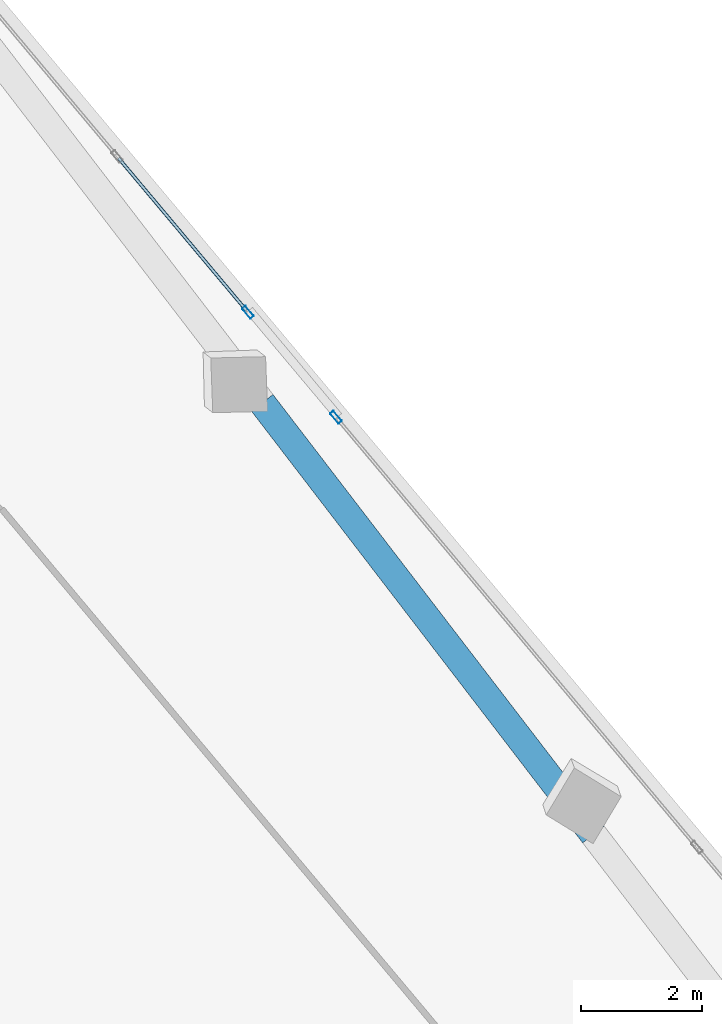
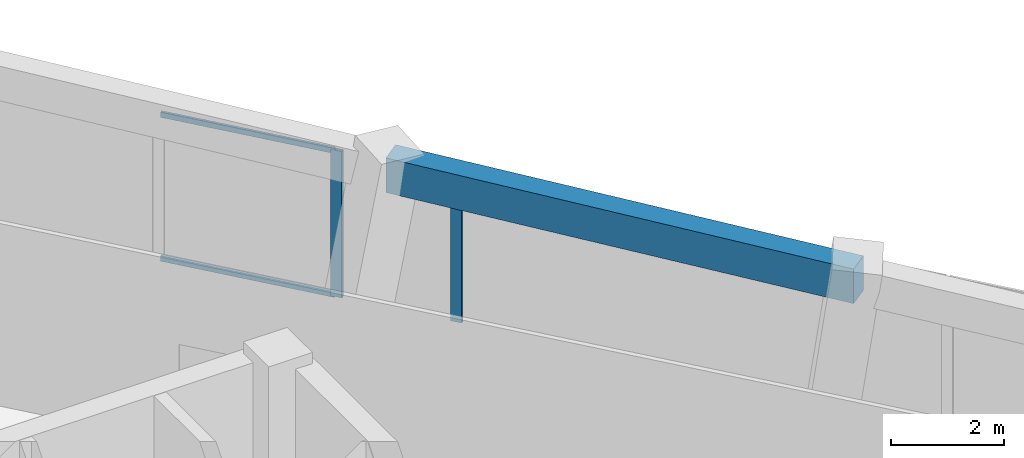
# One storey, part 11 of 17: 4 members, 1 beam, 2 elements without a shape of their own.
"""IFC4 building model written with IfcOpenShell, lengths in metres."""

from ifc_helpers import new_model, si_unit, direction, frame, origin, origin_2d, place, context, subcontext, project, spatial, rectangle, hollow_rectangle, extrude, source, transform, mapped, material, material_profile, profile_set, type_object, element, aggregate, save


model = new_model("IFC4")

# Units and contexts
model_context = context("Model", 3, precision=1e-05, world=origin(), true_north=direction((0.0, 1.0)))
body_context = subcontext(model_context, "Body", "Model", "MODEL_VIEW")
ifc_project = project(units=[si_unit("LENGTHUNIT", "METRE"), si_unit("AREAUNIT", "SQUARE_METRE"), si_unit("VOLUMEUNIT", "CUBIC_METRE"), si_unit("PLANEANGLEUNIT", "RADIAN"), si_unit("MASSUNIT", "GRAM", prefix="KILO")], contexts=[model_context])

# Site, building, storey
site_placement = place(None, origin())
site = spatial("IfcSite", under=ifc_project, at=site_placement, CompositionType="ELEMENT")
building_placement = place(site_placement, origin())
building = spatial("IfcBuilding", under=site, at=building_placement, Name="Torre Montelarca", CompositionType="ELEMENT")
storey_placement = place(building_placement, frame((0.0, 0.0, 275.199951171875)))
storey = spatial("IfcBuildingStorey", under=building, at=storey_placement, Name="L62", CompositionType="ELEMENT", Elevation=275.199951171875)

# Beam
ifc_material_1 = material(Name="Concrete C55/67", Category="concrete")
ifc_material_profile_1 = material_profile(ifc_material_1, rectangle(XDim=0.449951171875, YDim=0.75, at=origin_2d()), Name="RCB450X750", Category="concrete")
ifc_profile_set_1 = profile_set([ifc_material_profile_1], Name="Concrete C55/67")
beam_type = type_object("IfcBeamType", Name="BM-SP-RC750-EXT", PredefinedType="SPANDREL", material=ifc_profile_set_1)
shared_shape_1 = source(origin(), body_context, "Body", "SweptSolid", [
    extrude(rectangle(XDim=0.449951171875, YDim=0.75, at=origin_2d()), origin(), (0.0, 0.0, 1.0), 9.0),
])
beam_placement = place(storey_placement, frame((31.388671875, 43.99951171875, 3.5849609375), z_axis=(0.608757244327, -0.793356551293, 0.0), x_axis=(0.793356551293, 0.608757244327, 0.0)))
element("IfcBeam", 1, at=beam_placement, inside=storey, type_object=beam_type, Name="L62 Grid Girder X 18.0-27.0 at Y=47.1", PredefinedType="SPANDREL", context=body_context, shape_type="MappedRepresentation", body=[
    mapped(shared_shape_1, transform((0.0, 0.0, 0.0), scale=1.0)),
])

# Curtain wall, member
ifc_material_2 = material(Name="Insulated low-E laminated glass", Category="glass")
curtain_wall_type = type_object("IfcCurtainWallType", Name="CW-SYS-Z3", PredefinedType="USERDEFINED", material=ifc_material_2)
curtain_wall_1_placement = place(storey_placement, origin())
curtain_wall_1 = element("IfcCurtainWall", 2, at=curtain_wall_1_placement, inside=storey, type_object=curtain_wall_type, Name="L62 Curtain Wall Run CW-T3-L62-E08-B1", ObjectType="UNITISED GLAZING", PredefinedType="USERDEFINED")
ifc_material_3 = material(Name="Anodised aluminium AA 6063-T6", Category="aluminium")
ifc_material_profile_2 = material_profile(ifc_material_3, hollow_rectangle(XDim=0.074951171875, YDim=0.219970703125, WallThickness=0.0048828125, InnerFilletRadius=0.0048828125, OuterFilletRadius=0.010009765625, at=origin_2d()), Name="ALU75X220X5", Category="aluminium")
ifc_profile_set_2 = profile_set([ifc_material_profile_2], Name="Anodised aluminium AA 6063-T6")
member_type_1 = type_object("IfcMemberType", Name="CWM-ALU220", PredefinedType="MULLION", material=ifc_profile_set_2)
shared_shape_2 = source(origin(), body_context, "Body", "SweptSolid", [
    extrude(hollow_rectangle(XDim=0.074951171875, YDim=0.219970703125, WallThickness=0.0048828125, InnerFilletRadius=0.0048828125, OuterFilletRadius=0.010009765625, at=origin_2d()), origin(), (0.0, 0.0, 1.0), 3.175048828125),
])
member_1_placement = place(storey_placement, frame((32.609375, 43.760986328125, 0.0), z_axis=(0.0, 0.0, 1.0), x_axis=(-0.766046755716, -0.642784853631, 0.0)))
member_1 = element("IfcMember", 3, at=member_1_placement, type_object=member_type_1, Name="CW mullion 3", PredefinedType="MULLION", context=body_context, shape_type="MappedRepresentation", body=[
    mapped(shared_shape_2, transform((0.0, 0.0, 0.0), scale=1.0)),
])
aggregate(curtain_wall_1, [member_1])

# Curtain wall, members
curtain_wall_2_placement = place(storey_placement, origin())
curtain_wall_2 = element("IfcCurtainWall", 4, at=curtain_wall_2_placement, inside=storey, type_object=curtain_wall_type, Name="L62 Curtain Wall Run CW-T3-L62-E08-B2", ObjectType="UNITISED GLAZING", PredefinedType="USERDEFINED")
member_2_placement = place(storey_placement, frame((31.152099609375, 45.49755859375, 0.0), z_axis=(0.0, 0.0, 1.0), x_axis=(-0.76604692992, -0.642784646021, 0.0)))
member_2 = element("IfcMember", 5, at=member_2_placement, type_object=member_type_1, Name="CW mullion 1", PredefinedType="MULLION", context=body_context, shape_type="MappedRepresentation", body=[
    mapped(shared_shape_2, transform((0.0, 0.0, 0.0), scale=1.0)),
])
ifc_material_profile_3 = material_profile(ifc_material_3, hollow_rectangle(XDim=0.054931640625, YDim=0.1201171875, WallThickness=0.00341796875, InnerFilletRadius=0.00341796875, OuterFilletRadius=0.007080078125, at=origin_2d()), Name="ALU55X120X3.5", Category="aluminium")
ifc_profile_set_3 = profile_set([ifc_material_profile_3], Name="Anodised aluminium AA 6063-T6")
member_type_2 = type_object("IfcMemberType", Name="CWT-ALU120", PredefinedType="USERDEFINED", material=ifc_profile_set_3)
shared_shape_3 = source(origin(), body_context, "Body", "SweptSolid", [
    extrude(hollow_rectangle(XDim=0.054931640625, YDim=0.1201171875, WallThickness=0.00341796875, InnerFilletRadius=0.00341796875, OuterFilletRadius=0.007080078125, at=origin_2d()), origin(), (0.0, 0.0, 1.0), 3.287109375),
])
member_3_placement = place(storey_placement, frame((31.1279296875, 45.5263671875, 0.027587890625), z_axis=(-0.642766967415, 0.766061763568, 0.0), x_axis=(-0.766061763568, -0.642766967415, 0.0)))
member_3 = element("IfcMember", 6, at=member_3_placement, type_object=member_type_2, Name="CW transom 1.1", ObjectType="TRANSOM", PredefinedType="USERDEFINED", context=body_context, shape_type="MappedRepresentation", body=[
    mapped(shared_shape_3, transform((0.0, 0.0, 0.0), scale=1.0)),
])
member_4_placement = place(storey_placement, frame((31.1279296875, 45.5263671875, 3.1474609375), z_axis=(-0.642766967415, 0.766061763568, 0.0), x_axis=(-0.766061763568, -0.642766967415, 0.0)))
member_4 = element("IfcMember", 7, at=member_4_placement, type_object=member_type_2, Name="CW transom 1.2", ObjectType="TRANSOM", PredefinedType="USERDEFINED", context=body_context, shape_type="MappedRepresentation", body=[
    mapped(shared_shape_3, transform((0.0, 0.0, 0.0), scale=1.0)),
])
aggregate(curtain_wall_2, [member_2, member_3, member_4])

save(model, "model.ifc")
